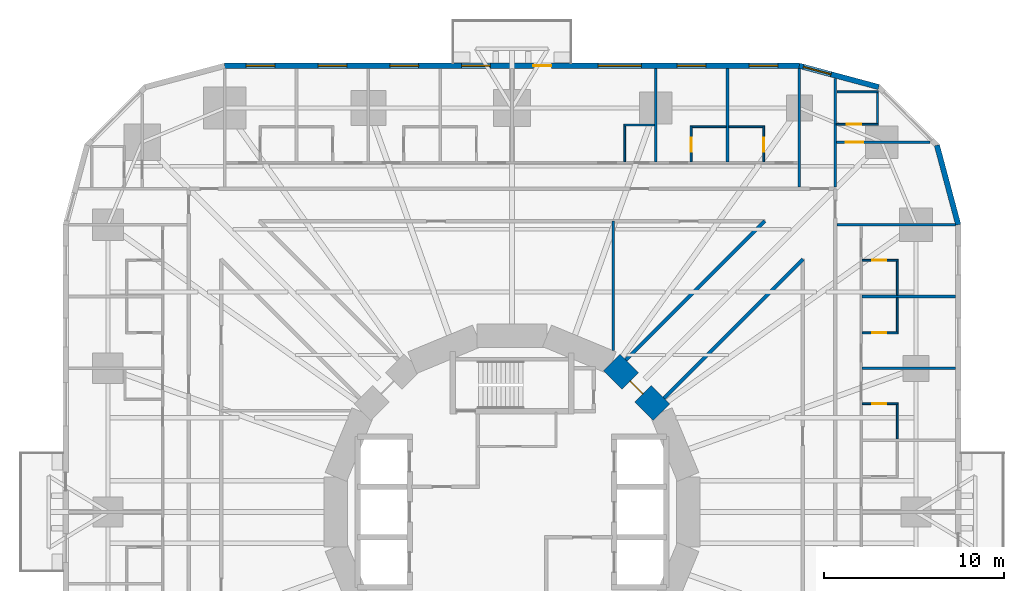
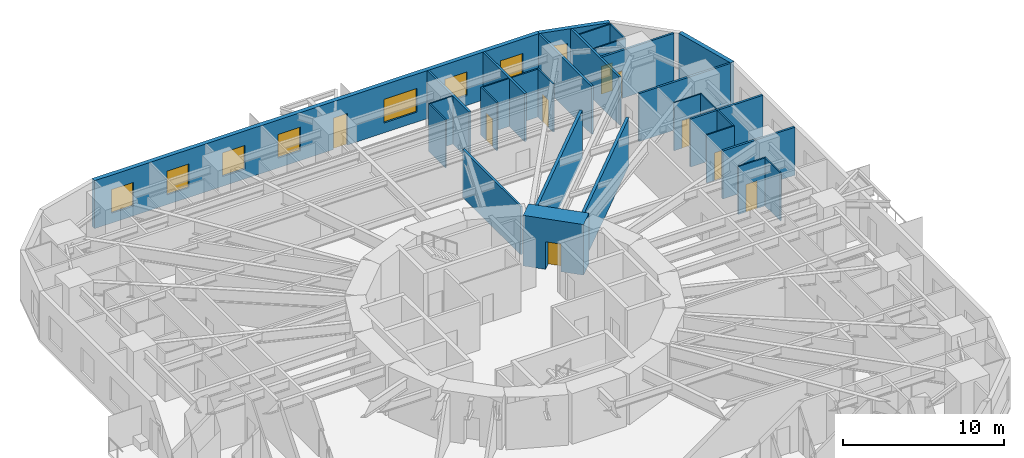
# One storey, part 11 of 14: 30 walls, 9 doors, 8 windows, 17 openings.
"""IFC4 building model written with IfcOpenShell, lengths in metres."""

from ifc_helpers import new_model, si_unit, direction, frame, frame_2d, origin, place, context, subcontext, project, spatial, rectangle, extrude, material, layer, layer_set, type_object, element, fill, save


model = new_model("IFC4")

# Units and contexts
model_context = context("Model", 3, precision=1e-05, world=origin(), true_north=direction((0.0, 1.0)))
body_context = subcontext(model_context, "Body", "Model", "MODEL_VIEW")
ifc_project = project(units=[si_unit("LENGTHUNIT", "METRE"), si_unit("AREAUNIT", "SQUARE_METRE"), si_unit("VOLUMEUNIT", "CUBIC_METRE"), si_unit("PLANEANGLEUNIT", "RADIAN"), si_unit("MASSUNIT", "GRAM", prefix="KILO")], contexts=[model_context])

# Site, building, storey
site_placement = place(None, origin())
site = spatial("IfcSite", under=ifc_project, at=site_placement, CompositionType="ELEMENT")
building_placement = place(site_placement, origin())
building = spatial("IfcBuilding", under=site, at=building_placement, Name="Nakasero Lantern House", CompositionType="ELEMENT")
storey_placement = place(building_placement, frame((0.0, 0.0, 35.25)))
storey = spatial("IfcBuildingStorey", under=building, at=storey_placement, Name="L08", CompositionType="ELEMENT", Elevation=35.25)

# Wall, opening, door
ifc_material_1 = material(Name="Concrete C50/60", Category="concrete")
ifc_layer_1 = layer(ifc_material_1, 1.300048828125)
ifc_layer_set_1 = layer_set([ifc_layer_1], Name="Core wall 1300")
wall_type_1 = type_object("IfcWallType", Name="Core wall 1300", PredefinedType="SHEAR", material=ifc_layer_set_1)
wall_1_placement = place(storey_placement, frame((8.314697265625, 5.5556640625, 0.0), z_axis=(0.0, 0.0, 1.0), x_axis=(-0.707106781187, 0.707106781187, 0.0)))
wall_1 = element("IfcWall", 1, at=wall_1_placement, inside=storey, type_object=wall_type_1, Name="Core wall L08 facet 2", PredefinedType="SHEAR", context=body_context, shape_type="SweptSolid", body=[
    extrude(rectangle(XDim=3.90185546875, YDim=1.300048828125, at=frame_2d((1.950927734375, 0.0))), origin(), (0.0, 0.0, 1.0), 3.85009765625),
])
opening_1_placement = place(wall_1_placement, frame((1.450927734375, 0.0, 0.0)))
opening_1 = element("IfcOpeningElement", 2, at=opening_1_placement, cuts=wall_1, Name="Opening D05", PredefinedType="OPENING", context=body_context, shape_type="SweptSolid", body=[
    extrude(rectangle(XDim=1.0, YDim=2.10009765625, at=frame_2d((0.5, 1.050048828125))), frame((0.0, 0.669921875, 0.0), z_axis=(0.0, -1.0, 0.0), x_axis=(1.0, 0.0, 0.0)), (0.0, 0.0, 1.0), 1.340087890625),
])
ifc_material_2 = material(Name="Timber C24", Category="wood")
door_type_1 = type_object("IfcDoorType", Name="Core door FD60S 1000", OperationType="SINGLE_SWING_LEFT", PredefinedType="DOOR", material=ifc_material_2)
door_1_placement = place(opening_1_placement, origin())
door_1 = element("IfcDoor", 3, at=door_1_placement, inside=storey, type_object=door_type_1, Name="Door L08 D-CORE02", OperationType="SINGLE_SWING_LEFT", OverallHeight=2.10009765625, OverallWidth=1.0, PredefinedType="DOOR", context=body_context, shape_type="SweptSolid", body=[
    extrude(rectangle(XDim=1.0, YDim=2.10009765625, at=frame_2d((0.5, 1.050048828125))), frame((0.0, 0.02490234375, 0.0), z_axis=(0.0, -1.0, 0.0), x_axis=(1.0, 0.0, 0.0)), (0.0, 0.0, 1.0), 0.050048828125),
])
fill(opening_1, door_1)

# Walls
ifc_material_3 = material(Name="Blockwork", Category="masonry")
ifc_layer_2 = layer(ifc_material_3, 0.199951171875)
ifc_layer_set_2 = layer_set([ifc_layer_2], Name="Corridor wall 200")
wall_type_2 = type_object("IfcWallType", Name="Corridor wall 200", PredefinedType="PARTITIONING", material=ifc_layer_set_2)
for number, where, z_axis, x_axis, name in (
    (4, (6.334228515625, 8.45556640625, 0.0), (0.0, 0.0, 1.0), (0.707106781187, 0.707106781187, 0.0), "Corridor wall L08 PS02a"),
    (5, (8.45556640625, 6.334228515625, 0.0), (0.0, 0.0, 1.0), (0.707106781187, 0.707106781187, 0.0), "Corridor wall L08 PS02b"),
):
    element("IfcWall", number, at=place(storey_placement, frame(where, z_axis=z_axis, x_axis=x_axis)), inside=storey, type_object=wall_type_2, Name=name, PredefinedType="PARTITIONING", context=body_context, shape_type="SweptSolid", body=[
        extrude(rectangle(XDim=10.9521484375, YDim=0.199951171875, at=frame_2d((5.47607421875, 0.0))), origin(), (0.0, 0.0, 1.0), 3.64990234375),
    ])

# Wall, opening, door
ifc_material_4 = material(Name="Blockwork", Category="masonry")
ifc_layer_3 = layer(ifc_material_4, 0.10009765625)
ifc_layer_set_3 = layer_set([ifc_layer_3], Name="En-suite wall 100")
wall_type_3 = type_object("IfcWallType", Name="En-suite wall 100", PredefinedType="PARTITIONING", material=ifc_layer_set_3)
wall_2_placement = place(storey_placement, frame((19.5, 6.02490234375, 0.0), z_axis=(0.0, 0.0, 1.0), x_axis=(1.0, 0.0, 0.0)))
wall_2 = element("IfcWall", 6, at=wall_2_placement, inside=storey, type_object=wall_type_3, Name="En-suite wall L08 ES0-06", PredefinedType="PARTITIONING", context=body_context, shape_type="SweptSolid", body=[
    extrude(rectangle(XDim=2.0, YDim=0.10009765625, at=frame_2d((1.0, 0.0))), origin(), (0.0, 0.0, 1.0), 3.64990234375),
])
opening_2_placement = place(wall_2_placement, frame((0.550048828125, 0.0, 0.0)))
opening_2 = element("IfcOpeningElement", 7, at=opening_2_placement, cuts=wall_2, Name="Opening D02", PredefinedType="OPENING", context=body_context, shape_type="SweptSolid", body=[
    extrude(rectangle(XDim=0.800048828125, YDim=2.10009765625, at=frame_2d((0.39990234375, 1.050048828125))), frame((0.0, 0.070068359375, 0.0), z_axis=(0.0, -1.0, 0.0), x_axis=(1.0, 0.0, 0.0)), (0.0, 0.0, 1.0), 0.14013671875),
])
ifc_material_5 = material(Name="Timber C24", Category="wood")
door_type_2 = type_object("IfcDoorType", Name="En-suite door 800", OperationType="SINGLE_SWING_RIGHT", PredefinedType="DOOR", material=ifc_material_5)
door_2_placement = place(opening_2_placement, origin())
door_2 = element("IfcDoor", 8, at=door_2_placement, inside=storey, type_object=door_type_2, Name="Door L08 DE0-06", OperationType="SINGLE_SWING_LEFT", OverallHeight=2.10009765625, OverallWidth=0.800048828125, PredefinedType="DOOR", context=body_context, shape_type="SweptSolid", body=[
    extrude(rectangle(XDim=0.800048828125, YDim=2.10009765625, at=frame_2d((0.39990234375, 1.050048828125))), frame((0.0, 0.02490234375, 0.0), z_axis=(0.0, -1.0, 0.0), x_axis=(1.0, 0.0, 0.0)), (0.0, 0.0, 1.0), 0.050048828125),
])
fill(opening_2, door_2)

# Wall
wall_3_placement = place(storey_placement, frame((21.449951171875, 4.074951171875, 0.0), z_axis=(0.0, 0.0, 1.0), x_axis=(0.0, 1.0, 0.0)))
element("IfcWall", 9, at=wall_3_placement, inside=storey, type_object=wall_type_3, Name="En-suite wall L08 EE0-06", PredefinedType="PARTITIONING", context=body_context, shape_type="SweptSolid", body=[
    extrude(rectangle(XDim=1.900146484375, YDim=0.10009765625, at=frame_2d((0.9501953125, 0.0))), origin(), (0.0, 0.0, 1.0), 3.64990234375),
])

# Wall, opening, door
wall_4_placement = place(storey_placement, frame((19.5, 9.97509765625, 0.0), z_axis=(0.0, 0.0, 1.0), x_axis=(1.0, 0.0, 0.0)))
wall_4 = element("IfcWall", 10, at=wall_4_placement, inside=storey, type_object=wall_type_3, Name="En-suite wall L08 ES0-07", PredefinedType="PARTITIONING", context=body_context, shape_type="SweptSolid", body=[
    extrude(rectangle(XDim=2.0, YDim=0.10009765625, at=frame_2d((1.0, 0.0))), origin(), (0.0, 0.0, 1.0), 3.64990234375),
])
opening_3_placement = place(wall_4_placement, frame((0.550048828125, 0.0, 0.0)))
opening_3 = element("IfcOpeningElement", 11, at=opening_3_placement, cuts=wall_4, Name="Opening D02", PredefinedType="OPENING", context=body_context, shape_type="SweptSolid", body=[
    extrude(rectangle(XDim=0.800048828125, YDim=2.10009765625, at=frame_2d((0.39990234375, 1.050048828125))), frame((0.0, 0.070068359375, 0.0), z_axis=(0.0, -1.0, 0.0), x_axis=(1.0, 0.0, 0.0)), (0.0, 0.0, 1.0), 0.14013671875),
])
door_3_placement = place(opening_3_placement, origin())
door_3 = element("IfcDoor", 12, at=door_3_placement, inside=storey, type_object=door_type_2, Name="Door L08 DE0-07", OperationType="SINGLE_SWING_LEFT", OverallHeight=2.10009765625, OverallWidth=0.800048828125, PredefinedType="DOOR", context=body_context, shape_type="SweptSolid", body=[
    extrude(rectangle(XDim=0.800048828125, YDim=2.10009765625, at=frame_2d((0.39990234375, 1.050048828125))), frame((0.0, 0.02490234375, 0.0), z_axis=(0.0, -1.0, 0.0), x_axis=(1.0, 0.0, 0.0)), (0.0, 0.0, 1.0), 0.050048828125),
])
fill(opening_3, door_3)

# Wall
wall_5_placement = place(storey_placement, frame((21.449951171875, 10.02490234375, 0.0), z_axis=(0.0, 0.0, 1.0), x_axis=(0.0, 1.0, 0.0)))
element("IfcWall", 13, at=wall_5_placement, inside=storey, type_object=wall_type_3, Name="En-suite wall L08 EE0-07", PredefinedType="PARTITIONING", context=body_context, shape_type="SweptSolid", body=[
    extrude(rectangle(XDim=1.900146484375, YDim=0.10009765625, at=frame_2d((0.9501953125, 0.0))), origin(), (0.0, 0.0, 1.0), 3.64990234375),
])

# Wall, opening, door
wall_6_placement = place(storey_placement, frame((19.5, 14.02490234375, 0.0), z_axis=(0.0, 0.0, 1.0), x_axis=(1.0, 0.0, 0.0)))
wall_6 = element("IfcWall", 14, at=wall_6_placement, inside=storey, type_object=wall_type_3, Name="En-suite wall L08 ES0-08", PredefinedType="PARTITIONING", context=body_context, shape_type="SweptSolid", body=[
    extrude(rectangle(XDim=2.0, YDim=0.10009765625, at=frame_2d((1.0, 0.0))), origin(), (0.0, 0.0, 1.0), 3.64990234375),
])
opening_4_placement = place(wall_6_placement, frame((0.550048828125, 0.0, 0.0)))
opening_4 = element("IfcOpeningElement", 15, at=opening_4_placement, cuts=wall_6, Name="Opening D02", PredefinedType="OPENING", context=body_context, shape_type="SweptSolid", body=[
    extrude(rectangle(XDim=0.800048828125, YDim=2.10009765625, at=frame_2d((0.39990234375, 1.050048828125))), frame((0.0, 0.070068359375, 0.0), z_axis=(0.0, -1.0, 0.0), x_axis=(1.0, 0.0, 0.0)), (0.0, 0.0, 1.0), 0.14013671875),
])
door_4_placement = place(opening_4_placement, origin())
door_4 = element("IfcDoor", 16, at=door_4_placement, inside=storey, type_object=door_type_2, Name="Door L08 DE0-08", OperationType="SINGLE_SWING_LEFT", OverallHeight=2.10009765625, OverallWidth=0.800048828125, PredefinedType="DOOR", context=body_context, shape_type="SweptSolid", body=[
    extrude(rectangle(XDim=0.800048828125, YDim=2.10009765625, at=frame_2d((0.39990234375, 1.050048828125))), frame((0.0, 0.02490234375, 0.0), z_axis=(0.0, -1.0, 0.0), x_axis=(1.0, 0.0, 0.0)), (0.0, 0.0, 1.0), 0.050048828125),
])
fill(opening_4, door_4)

# Wall
wall_7_placement = place(storey_placement, frame((21.449951171875, 12.074951171875, 0.0), z_axis=(0.0, 0.0, 1.0), x_axis=(0.0, 1.0, 0.0)))
element("IfcWall", 17, at=wall_7_placement, inside=storey, type_object=wall_type_3, Name="En-suite wall L08 EE0-08", PredefinedType="PARTITIONING", context=body_context, shape_type="SweptSolid", body=[
    extrude(rectangle(XDim=1.900146484375, YDim=0.10009765625, at=frame_2d((0.9501953125, 0.0))), origin(), (0.0, 0.0, 1.0), 3.64990234375),
])

# Wall, opening, door
wall_8_placement = place(storey_placement, frame((18.06494140625, 21.59619140625, 0.0), z_axis=(0.0, 0.0, 1.0), x_axis=(1.0, 0.0, 0.0)))
wall_8 = element("IfcWall", 18, at=wall_8_placement, inside=storey, type_object=wall_type_3, Name="En-suite wall L08 ES0-09", PredefinedType="PARTITIONING", context=body_context, shape_type="SweptSolid", body=[
    extrude(rectangle(XDim=2.3349609375, YDim=0.10009765625, at=frame_2d((1.16748046875, 0.0))), origin(), (0.0, 0.0, 1.0), 3.64990234375),
])
opening_5_placement = place(wall_8_placement, frame((0.5849609375, 0.0, 0.0)))
opening_5 = element("IfcOpeningElement", 19, at=opening_5_placement, cuts=wall_8, Name="Opening D02", PredefinedType="OPENING", context=body_context, shape_type="SweptSolid", body=[
    extrude(rectangle(XDim=0.800048828125, YDim=2.10009765625, at=frame_2d((0.39990234375, 1.050048828125))), frame((0.0, 0.070068359375, 0.0), z_axis=(0.0, -1.0, 0.0), x_axis=(1.0, 0.0, 0.0)), (0.0, 0.0, 1.0), 0.14013671875),
])
door_5_placement = place(opening_5_placement, origin())
door_5 = element("IfcDoor", 20, at=door_5_placement, inside=storey, type_object=door_type_2, Name="Door L08 DE0-09", OperationType="SINGLE_SWING_LEFT", OverallHeight=2.10009765625, OverallWidth=0.800048828125, PredefinedType="DOOR", context=body_context, shape_type="SweptSolid", body=[
    extrude(rectangle(XDim=0.800048828125, YDim=2.10009765625, at=frame_2d((0.39990234375, 1.050048828125))), frame((0.0, 0.02490234375, 0.0), z_axis=(0.0, -1.0, 0.0), x_axis=(1.0, 0.0, 0.0)), (0.0, 0.0, 1.0), 0.050048828125),
])
fill(opening_5, door_5)

# Walls
wall_9_placement = place(storey_placement, frame((20.35009765625, 21.646240234375, 0.0), z_axis=(0.0, 0.0, 1.0), x_axis=(0.0, 1.0, 0.0)))
element("IfcWall", 21, at=wall_9_placement, inside=storey, type_object=wall_type_3, Name="En-suite wall L08 EE0-09", PredefinedType="PARTITIONING", context=body_context, shape_type="SweptSolid", body=[
    extrude(rectangle(XDim=1.699951171875, YDim=0.10009765625, at=frame_2d((0.85009765625, 0.0))), origin(), (0.0, 0.0, 1.0), 3.64990234375),
])
wall_10_placement = place(storey_placement, frame((18.10009765625, 23.396240234375, 0.0), z_axis=(0.0, 0.0, 1.0), x_axis=(1.0, 0.0, 0.0)))
element("IfcWall", 22, at=wall_10_placement, inside=storey, type_object=wall_type_3, Name="En-suite wall L08 EV0-09", PredefinedType="PARTITIONING", context=body_context, shape_type="SweptSolid", body=[
    extrude(rectangle(XDim=2.2998046875, YDim=0.10009765625, at=frame_2d((1.14990234375, 0.0))), origin(), (0.0, 0.0, 1.0), 3.64990234375),
])
wall_11_placement = place(storey_placement, frame((6.27490234375, 19.5, 0.0), z_axis=(0.0, 0.0, 1.0), x_axis=(0.0, 1.0, 0.0)))
element("IfcWall", 23, at=wall_11_placement, inside=storey, type_object=wall_type_3, Name="En-suite wall L08 SS1-0", PredefinedType="PARTITIONING", context=body_context, shape_type="SweptSolid", body=[
    extrude(rectangle(XDim=2.10009765625, YDim=0.10009765625, at=frame_2d((1.050048828125, 0.0))), origin(), (0.0, 0.0, 1.0), 3.64990234375),
])
wall_12_placement = place(storey_placement, frame((7.925048828125, 21.550048828125, 0.0), z_axis=(0.0, 0.0, 1.0), x_axis=(-1.0, 0.0, 0.0)))
element("IfcWall", 24, at=wall_12_placement, inside=storey, type_object=wall_type_3, Name="En-suite wall L08 SE1-0", PredefinedType="PARTITIONING", context=body_context, shape_type="SweptSolid", body=[
    extrude(rectangle(XDim=1.699951171875, YDim=0.10009765625, at=frame_2d((0.85009765625, 0.0))), origin(), (0.0, 0.0, 1.0), 3.64990234375),
])

# Wall, opening, door
wall_13_placement = place(storey_placement, frame((14.02490234375, 19.5, 0.0), z_axis=(0.0, 0.0, 1.0), x_axis=(0.0, 1.0, 0.0)))
wall_13 = element("IfcWall", 25, at=wall_13_placement, inside=storey, type_object=wall_type_3, Name="En-suite wall L08 ES1-01", PredefinedType="PARTITIONING", context=body_context, shape_type="SweptSolid", body=[
    extrude(rectangle(XDim=2.0, YDim=0.10009765625, at=frame_2d((1.0, 0.0))), origin(), (0.0, 0.0, 1.0), 3.64990234375),
])
opening_6_placement = place(wall_13_placement, frame((0.550048828125, 0.0, 0.0)))
opening_6 = element("IfcOpeningElement", 26, at=opening_6_placement, cuts=wall_13, Name="Opening D02", PredefinedType="OPENING", context=body_context, shape_type="SweptSolid", body=[
    extrude(rectangle(XDim=0.800048828125, YDim=2.10009765625, at=frame_2d((0.39990234375, 1.050048828125))), frame((0.0, 0.070068359375, 0.0), z_axis=(0.0, -1.0, 0.0), x_axis=(1.0, 0.0, 0.0)), (0.0, 0.0, 1.0), 0.14013671875),
])
door_6_placement = place(opening_6_placement, origin())
door_6 = element("IfcDoor", 27, at=door_6_placement, inside=storey, type_object=door_type_2, Name="Door L08 DE1-01", OperationType="SINGLE_SWING_LEFT", OverallHeight=2.10009765625, OverallWidth=0.800048828125, PredefinedType="DOOR", context=body_context, shape_type="SweptSolid", body=[
    extrude(rectangle(XDim=0.800048828125, YDim=2.10009765625, at=frame_2d((0.39990234375, 1.050048828125))), frame((0.0, 0.02490234375, 0.0), z_axis=(0.0, -1.0, 0.0), x_axis=(1.0, 0.0, 0.0)), (0.0, 0.0, 1.0), 0.050048828125),
])
fill(opening_6, door_6)

# Wall
wall_14_placement = place(storey_placement, frame((13.97509765625, 21.449951171875, 0.0), z_axis=(0.0, 0.0, 1.0), x_axis=(-1.0, 0.0, 0.0)))
element("IfcWall", 28, at=wall_14_placement, inside=storey, type_object=wall_type_3, Name="En-suite wall L08 EE1-01", PredefinedType="PARTITIONING", context=body_context, shape_type="SweptSolid", body=[
    extrude(rectangle(XDim=1.900146484375, YDim=0.10009765625, at=frame_2d((0.9501953125, 0.0))), origin(), (0.0, 0.0, 1.0), 3.64990234375),
])

# Wall, opening, door
wall_15_placement = place(storey_placement, frame((9.97509765625, 19.5, 0.0), z_axis=(0.0, 0.0, 1.0), x_axis=(0.0, 1.0, 0.0)))
wall_15 = element("IfcWall", 29, at=wall_15_placement, inside=storey, type_object=wall_type_3, Name="En-suite wall L08 ES1-02", PredefinedType="PARTITIONING", context=body_context, shape_type="SweptSolid", body=[
    extrude(rectangle(XDim=2.0, YDim=0.10009765625, at=frame_2d((1.0, 0.0))), origin(), (0.0, 0.0, 1.0), 3.64990234375),
])
opening_7_placement = place(wall_15_placement, frame((0.550048828125, 0.0, 0.0)))
opening_7 = element("IfcOpeningElement", 30, at=opening_7_placement, cuts=wall_15, Name="Opening D02", PredefinedType="OPENING", context=body_context, shape_type="SweptSolid", body=[
    extrude(rectangle(XDim=0.800048828125, YDim=2.10009765625, at=frame_2d((0.39990234375, 1.050048828125))), frame((0.0, 0.070068359375, 0.0), z_axis=(0.0, -1.0, 0.0), x_axis=(1.0, 0.0, 0.0)), (0.0, 0.0, 1.0), 0.14013671875),
])
door_7_placement = place(opening_7_placement, origin())
door_7 = element("IfcDoor", 31, at=door_7_placement, inside=storey, type_object=door_type_2, Name="Door L08 DE1-02", OperationType="SINGLE_SWING_LEFT", OverallHeight=2.10009765625, OverallWidth=0.800048828125, PredefinedType="DOOR", context=body_context, shape_type="SweptSolid", body=[
    extrude(rectangle(XDim=0.800048828125, YDim=2.10009765625, at=frame_2d((0.39990234375, 1.050048828125))), frame((0.0, 0.02490234375, 0.0), z_axis=(0.0, -1.0, 0.0), x_axis=(1.0, 0.0, 0.0)), (0.0, 0.0, 1.0), 0.050048828125),
])
fill(opening_7, door_7)

# Walls
wall_16_placement = place(storey_placement, frame((11.925048828125, 21.449951171875, 0.0), z_axis=(0.0, 0.0, 1.0), x_axis=(-1.0, 0.0, 0.0)))
element("IfcWall", 32, at=wall_16_placement, inside=storey, type_object=wall_type_3, Name="En-suite wall L08 EE1-02", PredefinedType="PARTITIONING", context=body_context, shape_type="SweptSolid", body=[
    extrude(rectangle(XDim=1.900146484375, YDim=0.10009765625, at=frame_2d((0.9501953125, 0.0))), origin(), (0.0, 0.0, 1.0), 3.64990234375),
])
ifc_material_6 = material(Name="Aluminium rainscreen on blockwork", Category="masonry")
ifc_layer_4 = layer(ifc_material_6, 0.300048828125)
ifc_layer_set_4 = layer_set([ifc_layer_4], Name="Facade wall 300")
wall_type_4 = type_object("IfcWallType", Name="Facade wall 300", PredefinedType="SOLIDWALL", material=ifc_layer_set_4)
wall_17_placement = place(storey_placement, frame((24.85009765625, 16.0, 0.0), z_axis=(0.0, 0.0, 1.0), x_axis=(-0.258839972501, 0.965920218567, 0.0)))
element("IfcWall", 33, at=wall_17_placement, inside=storey, type_object=wall_type_4, Name="Facade wall L08 FW0C1", PredefinedType="SOLIDWALL", context=body_context, shape_type="SweptSolid", body=[
    extrude(rectangle(XDim=4.5810546875, YDim=0.300048828125, at=frame_2d((2.29052734375, 0.0))), origin(), (0.0, 0.0, 1.0), 3.64990234375),
])

# Wall, opening, window
wall_18_placement = place(storey_placement, frame((20.425048828125, 23.664306640625, 0.0), z_axis=(0.0, 0.0, 1.0), x_axis=(-0.965920218567, 0.258839972501, 0.0)))
wall_18 = element("IfcWall", 34, at=wall_18_placement, inside=storey, type_object=wall_type_4, Name="Facade wall L08 FW0C3", PredefinedType="SOLIDWALL", context=body_context, shape_type="SweptSolid", body=[
    extrude(rectangle(XDim=4.5810546875, YDim=0.300048828125, at=frame_2d((2.29052734375, 0.0))), origin(), (0.0, 0.0, 1.0), 3.64990234375),
])
opening_8_placement = place(wall_18_placement, frame((2.74609375, 0.0, 0.75)))
opening_8 = element("IfcOpeningElement", 35, at=opening_8_placement, cuts=wall_18, Name="Opening W01", PredefinedType="OPENING", context=body_context, shape_type="SweptSolid", body=[
    extrude(rectangle(XDim=1.60009765625, YDim=1.800048828125, at=frame_2d((0.800048828125, 0.89990234375))), frame((0.0, 0.169921875, 0.0), z_axis=(0.0, -1.0, 0.0), x_axis=(1.0, 0.0, 0.0)), (0.0, 0.0, 1.0), 0.340087890625),
])
ifc_material_7 = material(Name="Aluminium 6063-T6 and glass", Category="aluminium")
window_type_1 = type_object("IfcWindowType", Name="Bedroom window 1600x1800", PartitioningType="SINGLE_PANEL", PredefinedType="WINDOW", material=ifc_material_7)
window_1_placement = place(opening_8_placement, origin())
window_1 = element("IfcWindow", 36, at=window_1_placement, inside=storey, type_object=window_type_1, Name="Window L08 WN1-00", OverallHeight=1.800048828125, OverallWidth=1.60009765625, PartitioningType="SINGLE_PANEL", PredefinedType="WINDOW", context=body_context, shape_type="SweptSolid", body=[
    extrude(rectangle(XDim=1.60009765625, YDim=1.800048828125, at=frame_2d((0.800048828125, 0.89990234375))), frame((0.0, 0.030029296875, 0.0), z_axis=(0.0, -1.0, 0.0), x_axis=(1.0, 0.0, 0.0)), (0.0, 0.0, 1.0), 0.06005859375),
])
fill(opening_8, window_1)

# Wall, openings, door, windows
wall_19_placement = place(storey_placement, frame((16.0, 24.85009765625, 0.0), z_axis=(0.0, 0.0, 1.0), x_axis=(-1.0, 0.0, 0.0)))
wall_19 = element("IfcWall", 37, at=wall_19_placement, inside=storey, type_object=wall_type_4, Name="Facade wall L08 FW1S", PredefinedType="SOLIDWALL", context=body_context, shape_type="SweptSolid", body=[
    extrude(rectangle(XDim=32.0, YDim=0.300048828125, at=frame_2d((16.0, 0.0))), origin(), (0.0, 0.0, 1.0), 3.64990234375),
])
opening_9_placement = place(wall_19_placement, frame((1.199951171875, 0.0, 0.75)))
opening_9 = element("IfcOpeningElement", 38, at=opening_9_placement, cuts=wall_19, Name="Opening W01", PredefinedType="OPENING", context=body_context, shape_type="SweptSolid", body=[
    extrude(rectangle(XDim=1.60009765625, YDim=1.800048828125, at=frame_2d((0.800048828125, 0.89990234375))), frame((0.0, 0.169921875, 0.0), z_axis=(0.0, -1.0, 0.0), x_axis=(1.0, 0.0, 0.0)), (0.0, 0.0, 1.0), 0.340087890625),
])
opening_10_placement = place(wall_19_placement, frame((5.199951171875, 0.0, 0.75)))
opening_10 = element("IfcOpeningElement", 39, at=opening_10_placement, cuts=wall_19, Name="Opening W01", PredefinedType="OPENING", context=body_context, shape_type="SweptSolid", body=[
    extrude(rectangle(XDim=1.60009765625, YDim=1.800048828125, at=frame_2d((0.800048828125, 0.89990234375))), frame((0.0, 0.169921875, 0.0), z_axis=(0.0, -1.0, 0.0), x_axis=(1.0, 0.0, 0.0)), (0.0, 0.0, 1.0), 0.340087890625),
])
opening_11_placement = place(wall_19_placement, frame((17.199951171875, 0.0, 0.75)))
opening_11 = element("IfcOpeningElement", 40, at=opening_11_placement, cuts=wall_19, Name="Opening W01", PredefinedType="OPENING", context=body_context, shape_type="SweptSolid", body=[
    extrude(rectangle(XDim=1.60009765625, YDim=1.800048828125, at=frame_2d((0.800048828125, 0.89990234375))), frame((0.0, 0.169921875, 0.0), z_axis=(0.0, -1.0, 0.0), x_axis=(1.0, 0.0, 0.0)), (0.0, 0.0, 1.0), 0.340087890625),
])
opening_12_placement = place(wall_19_placement, frame((21.199951171875, 0.0, 0.75)))
opening_12 = element("IfcOpeningElement", 41, at=opening_12_placement, cuts=wall_19, Name="Opening W01", PredefinedType="OPENING", context=body_context, shape_type="SweptSolid", body=[
    extrude(rectangle(XDim=1.60009765625, YDim=1.800048828125, at=frame_2d((0.800048828125, 0.89990234375))), frame((0.0, 0.169921875, 0.0), z_axis=(0.0, -1.0, 0.0), x_axis=(1.0, 0.0, 0.0)), (0.0, 0.0, 1.0), 0.340087890625),
])
opening_13_placement = place(wall_19_placement, frame((25.199951171875, 0.0, 0.75)))
opening_13 = element("IfcOpeningElement", 42, at=opening_13_placement, cuts=wall_19, Name="Opening W01", PredefinedType="OPENING", context=body_context, shape_type="SweptSolid", body=[
    extrude(rectangle(XDim=1.60009765625, YDim=1.800048828125, at=frame_2d((0.800048828125, 0.89990234375))), frame((0.0, 0.169921875, 0.0), z_axis=(0.0, -1.0, 0.0), x_axis=(1.0, 0.0, 0.0)), (0.0, 0.0, 1.0), 0.340087890625),
])
opening_14_placement = place(wall_19_placement, frame((29.199951171875, 0.0, 0.75)))
opening_14 = element("IfcOpeningElement", 43, at=opening_14_placement, cuts=wall_19, Name="Opening W01", PredefinedType="OPENING", context=body_context, shape_type="SweptSolid", body=[
    extrude(rectangle(XDim=1.60009765625, YDim=1.800048828125, at=frame_2d((0.800048828125, 0.89990234375))), frame((0.0, 0.169921875, 0.0), z_axis=(0.0, -1.0, 0.0), x_axis=(1.0, 0.0, 0.0)), (0.0, 0.0, 1.0), 0.340087890625),
])
opening_15_placement = place(wall_19_placement, frame((8.800048828125, 0.0, 0.75)))
opening_15 = element("IfcOpeningElement", 44, at=opening_15_placement, cuts=wall_19, Name="Opening W03", PredefinedType="OPENING", context=body_context, shape_type="SweptSolid", body=[
    extrude(rectangle(XDim=2.39990234375, YDim=1.800048828125, at=frame_2d((1.199951171875, 0.89990234375))), frame((0.0, 0.169921875, 0.0), z_axis=(0.0, -1.0, 0.0), x_axis=(1.0, 0.0, 0.0)), (0.0, 0.0, 1.0), 0.340087890625),
])
opening_16_placement = place(wall_19_placement, frame((13.8125, 0.0, 0.0)))
opening_16 = element("IfcOpeningElement", 45, at=opening_16_placement, cuts=wall_19, Name="Opening D04", PredefinedType="OPENING", context=body_context, shape_type="SweptSolid", body=[
    extrude(rectangle(XDim=1.0, YDim=2.39990234375, at=frame_2d((0.5, 1.199951171875))), frame((0.0, 0.169921875, 0.0), z_axis=(0.0, -1.0, 0.0), x_axis=(1.0, 0.0, 0.0)), (0.0, 0.0, 1.0), 0.340087890625),
])
ifc_material_8 = material(Name="Aluminium 6063-T6 and glass", Category="aluminium")
door_type_3 = type_object("IfcDoorType", Name="Balcony door 1000x2400", OperationType="SINGLE_SWING_RIGHT", PredefinedType="DOOR", material=ifc_material_8)
door_8_placement = place(opening_16_placement, origin())
door_8 = element("IfcDoor", 46, at=door_8_placement, inside=storey, type_object=door_type_3, Name="Balcony door L08 DB1", OperationType="SINGLE_SWING_RIGHT", OverallHeight=2.39990234375, OverallWidth=1.0, PredefinedType="DOOR", context=body_context, shape_type="SweptSolid", body=[
    extrude(rectangle(XDim=1.0, YDim=2.39990234375, at=frame_2d((0.5, 1.199951171875))), frame((0.0, 0.02490234375, 0.0), z_axis=(0.0, -1.0, 0.0), x_axis=(1.0, 0.0, 0.0)), (0.0, 0.0, 1.0), 0.050048828125),
])
fill(opening_16, door_8)
window_2_placement = place(opening_9_placement, origin())
window_2 = element("IfcWindow", 47, at=window_2_placement, inside=storey, type_object=window_type_1, Name="Window L08 WN1-01", OverallHeight=1.800048828125, OverallWidth=1.60009765625, PartitioningType="SINGLE_PANEL", PredefinedType="WINDOW", context=body_context, shape_type="SweptSolid", body=[
    extrude(rectangle(XDim=1.60009765625, YDim=1.800048828125, at=frame_2d((0.800048828125, 0.89990234375))), frame((0.0, 0.030029296875, 0.0), z_axis=(0.0, -1.0, 0.0), x_axis=(1.0, 0.0, 0.0)), (0.0, 0.0, 1.0), 0.06005859375),
])
fill(opening_9, window_2)
window_3_placement = place(opening_10_placement, origin())
window_3 = element("IfcWindow", 48, at=window_3_placement, inside=storey, type_object=window_type_1, Name="Window L08 WN1-02", OverallHeight=1.800048828125, OverallWidth=1.60009765625, PartitioningType="SINGLE_PANEL", PredefinedType="WINDOW", context=body_context, shape_type="SweptSolid", body=[
    extrude(rectangle(XDim=1.60009765625, YDim=1.800048828125, at=frame_2d((0.800048828125, 0.89990234375))), frame((0.0, 0.030029296875, 0.0), z_axis=(0.0, -1.0, 0.0), x_axis=(1.0, 0.0, 0.0)), (0.0, 0.0, 1.0), 0.06005859375),
])
fill(opening_10, window_3)
window_4_placement = place(opening_11_placement, origin())
window_4 = element("IfcWindow", 49, at=window_4_placement, inside=storey, type_object=window_type_1, Name="Window L08 WN1-05", OverallHeight=1.800048828125, OverallWidth=1.60009765625, PartitioningType="SINGLE_PANEL", PredefinedType="WINDOW", context=body_context, shape_type="SweptSolid", body=[
    extrude(rectangle(XDim=1.60009765625, YDim=1.800048828125, at=frame_2d((0.800048828125, 0.89990234375))), frame((0.0, 0.030029296875, 0.0), z_axis=(0.0, -1.0, 0.0), x_axis=(1.0, 0.0, 0.0)), (0.0, 0.0, 1.0), 0.06005859375),
])
fill(opening_11, window_4)
window_5_placement = place(opening_12_placement, origin())
window_5 = element("IfcWindow", 50, at=window_5_placement, inside=storey, type_object=window_type_1, Name="Window L08 WN1-06", OverallHeight=1.800048828125, OverallWidth=1.60009765625, PartitioningType="SINGLE_PANEL", PredefinedType="WINDOW", context=body_context, shape_type="SweptSolid", body=[
    extrude(rectangle(XDim=1.60009765625, YDim=1.800048828125, at=frame_2d((0.800048828125, 0.89990234375))), frame((0.0, 0.030029296875, 0.0), z_axis=(0.0, -1.0, 0.0), x_axis=(1.0, 0.0, 0.0)), (0.0, 0.0, 1.0), 0.06005859375),
])
fill(opening_12, window_5)
window_6_placement = place(opening_13_placement, origin())
window_6 = element("IfcWindow", 51, at=window_6_placement, inside=storey, type_object=window_type_1, Name="Window L08 WN1-07", OverallHeight=1.800048828125, OverallWidth=1.60009765625, PartitioningType="SINGLE_PANEL", PredefinedType="WINDOW", context=body_context, shape_type="SweptSolid", body=[
    extrude(rectangle(XDim=1.60009765625, YDim=1.800048828125, at=frame_2d((0.800048828125, 0.89990234375))), frame((0.0, 0.030029296875, 0.0), z_axis=(0.0, -1.0, 0.0), x_axis=(1.0, 0.0, 0.0)), (0.0, 0.0, 1.0), 0.06005859375),
])
fill(opening_13, window_6)
window_7_placement = place(opening_14_placement, origin())
window_7 = element("IfcWindow", 52, at=window_7_placement, inside=storey, type_object=window_type_1, Name="Window L08 WN1-08", OverallHeight=1.800048828125, OverallWidth=1.60009765625, PartitioningType="SINGLE_PANEL", PredefinedType="WINDOW", context=body_context, shape_type="SweptSolid", body=[
    extrude(rectangle(XDim=1.60009765625, YDim=1.800048828125, at=frame_2d((0.800048828125, 0.89990234375))), frame((0.0, 0.030029296875, 0.0), z_axis=(0.0, -1.0, 0.0), x_axis=(1.0, 0.0, 0.0)), (0.0, 0.0, 1.0), 0.06005859375),
])
fill(opening_14, window_7)
ifc_material_9 = material(Name="Aluminium 6063-T6 and glass", Category="aluminium")
window_type_2 = type_object("IfcWindowType", Name="Lounge window 2400x1800", PartitioningType="SINGLE_PANEL", PredefinedType="WINDOW", material=ifc_material_9)
window_8_placement = place(opening_15_placement, origin())
window_8 = element("IfcWindow", 53, at=window_8_placement, inside=storey, type_object=window_type_2, Name="Window L08 WK1", OverallHeight=1.800048828125, OverallWidth=2.39990234375, PartitioningType="SINGLE_PANEL", PredefinedType="WINDOW", context=body_context, shape_type="SweptSolid", body=[
    extrude(rectangle(XDim=2.39990234375, YDim=1.800048828125, at=frame_2d((1.199951171875, 0.89990234375))), frame((0.0, 0.030029296875, 0.0), z_axis=(0.0, -1.0, 0.0), x_axis=(1.0, 0.0, 0.0)), (0.0, 0.0, 1.0), 0.06005859375),
])
fill(opening_15, window_8)

# Walls
ifc_material_10 = material(Name="Blockwork", Category="masonry")
ifc_layer_5 = layer(ifc_material_10, 0.14990234375)
ifc_layer_set_5 = layer_set([ifc_layer_5], Name="Party wall 150")
wall_type_5 = type_object("IfcWallType", Name="Party wall 150", PredefinedType="PARTITIONING", material=ifc_layer_set_5)
for number, where, z_axis, x_axis, name in (
    (54, (19.5, 8.0, 0.0), (0.0, 0.0, 1.0), (1.0, 0.0, 0.0), "Party wall L08 PW0-07"),
    (55, (19.5, 12.0, 0.0), (0.0, 0.0, 1.0), (1.0, 0.0, 0.0), "Party wall L08 PW0-08"),
):
    element("IfcWall", number, at=place(storey_placement, frame(where, z_axis=z_axis, x_axis=x_axis)), inside=storey, type_object=wall_type_5, Name=name, PredefinedType="PARTITIONING", context=body_context, shape_type="SweptSolid", body=[
        extrude(rectangle(XDim=5.199951171875, YDim=0.14990234375, at=frame_2d((2.60009765625, 0.0))), origin(), (0.0, 0.0, 1.0), 3.64990234375),
    ])
wall_20_placement = place(storey_placement, frame((18.10009765625, 16.0, 0.0), z_axis=(0.0, 0.0, 1.0), x_axis=(1.0, 0.0, 0.0)))
element("IfcWall", 56, at=wall_20_placement, inside=storey, type_object=wall_type_5, Name="Party wall L08 PW0-09", PredefinedType="PARTITIONING", context=body_context, shape_type="SweptSolid", body=[
    extrude(rectangle(XDim=6.58935546875, YDim=0.14990234375, at=frame_2d((3.294677734375, 0.0))), origin(), (0.0, 0.0, 1.0), 3.64990234375),
])

# Wall, opening, door
wall_21_placement = place(storey_placement, frame((18.06494140625, 20.59619140625, 0.0), z_axis=(0.0, 0.0, 1.0), x_axis=(1.0, 0.0, 0.0)))
wall_21 = element("IfcWall", 57, at=wall_21_placement, inside=storey, type_object=wall_type_5, Name="Party wall L08 PC0", PredefinedType="PARTITIONING", context=body_context, shape_type="SweptSolid", body=[
    extrude(rectangle(XDim=5.208740234375, YDim=0.14990234375, at=frame_2d((2.6044921875, 0.0))), origin(), (0.0, 0.0, 1.0), 3.64990234375),
])
opening_17_placement = place(wall_21_placement, frame((0.534912109375, 0.0, 0.0)))
opening_17 = element("IfcOpeningElement", 58, at=opening_17_placement, cuts=wall_21, Name="Opening D01", PredefinedType="OPENING", context=body_context, shape_type="SweptSolid", body=[
    extrude(rectangle(XDim=0.949951171875, YDim=2.10009765625, at=frame_2d((0.47509765625, 1.050048828125))), frame((0.0, 0.094970703125, 0.0), z_axis=(0.0, -1.0, 0.0), x_axis=(1.0, 0.0, 0.0)), (0.0, 0.0, 1.0), 0.18994140625),
])
ifc_material_11 = material(Name="Timber C24", Category="wood")
door_type_4 = type_object("IfcDoorType", Name="Bedroom door FD30S 950", OperationType="SINGLE_SWING_LEFT", PredefinedType="DOOR", material=ifc_material_11)
door_9_placement = place(opening_17_placement, origin())
door_9 = element("IfcDoor", 59, at=door_9_placement, inside=storey, type_object=door_type_4, Name="Door L08 DC0", OperationType="SINGLE_SWING_LEFT", OverallHeight=2.10009765625, OverallWidth=0.949951171875, PredefinedType="DOOR", context=body_context, shape_type="SweptSolid", body=[
    extrude(rectangle(XDim=0.949951171875, YDim=2.10009765625, at=frame_2d((0.47509765625, 1.050048828125))), frame((0.0, 0.02490234375, 0.0), z_axis=(0.0, -1.0, 0.0), x_axis=(1.0, 0.0, 0.0)), (0.0, 0.0, 1.0), 0.050048828125),
])
fill(opening_17, door_9)

# Walls
wall_22_placement = place(storey_placement, frame((18.0, 18.10009765625, 0.0), z_axis=(0.0, 0.0, 1.0), x_axis=(0.0, 1.0, 0.0)))
element("IfcWall", 60, at=wall_22_placement, inside=storey, type_object=wall_type_5, Name="Party wall L08 PW1-00", PredefinedType="PARTITIONING", context=body_context, shape_type="SweptSolid", body=[
    extrude(rectangle(XDim=6.053466796875, YDim=0.14990234375, at=frame_2d((3.02685546875, 0.0))), origin(), (0.0, 0.0, 1.0), 3.64990234375),
])
wall_23_placement = place(storey_placement, frame((16.0, 18.10009765625, 0.0), z_axis=(0.0, 0.0, 1.0), x_axis=(0.0, 1.0, 0.0)))
element("IfcWall", 61, at=wall_23_placement, inside=storey, type_object=wall_type_5, Name="Party wall L08 PW1-01", PredefinedType="PARTITIONING", context=body_context, shape_type="SweptSolid", body=[
    extrude(rectangle(XDim=6.58935546875, YDim=0.14990234375, at=frame_2d((3.294677734375, 0.0))), origin(), (0.0, 0.0, 1.0), 3.64990234375),
])
for number, where, z_axis, x_axis, name in (
    (62, (12.0, 19.5, 0.0), (0.0, 0.0, 1.0), (0.0, 1.0, 0.0), "Party wall L08 PW1-02"),
    (63, (8.0, 19.5, 0.0), (0.0, 0.0, 1.0), (0.0, 1.0, 0.0), "Party wall L08 PW1-03"),
):
    element("IfcWall", number, at=place(storey_placement, frame(where, z_axis=z_axis, x_axis=x_axis)), inside=storey, type_object=wall_type_5, Name=name, PredefinedType="PARTITIONING", context=body_context, shape_type="SweptSolid", body=[
        extrude(rectangle(XDim=5.199951171875, YDim=0.14990234375, at=frame_2d((2.60009765625, 0.0))), origin(), (0.0, 0.0, 1.0), 3.64990234375),
    ])
wall_24_placement = place(storey_placement, frame((5.631591796875, 8.98681640625, 0.0), z_axis=(0.0, 0.0, 1.0), x_axis=(0.0, 1.0, 0.0)))
element("IfcWall", 64, at=wall_24_placement, inside=storey, type_object=wall_type_5, Name="Party wall L08 IS2", PredefinedType="PARTITIONING", context=body_context, shape_type="SweptSolid", body=[
    extrude(rectangle(XDim=7.213134765625, YDim=0.14990234375, at=frame_2d((3.6064453125, 0.0))), origin(), (0.0, 0.0, 1.0), 3.64990234375),
])

save(model, "model.ifc")
